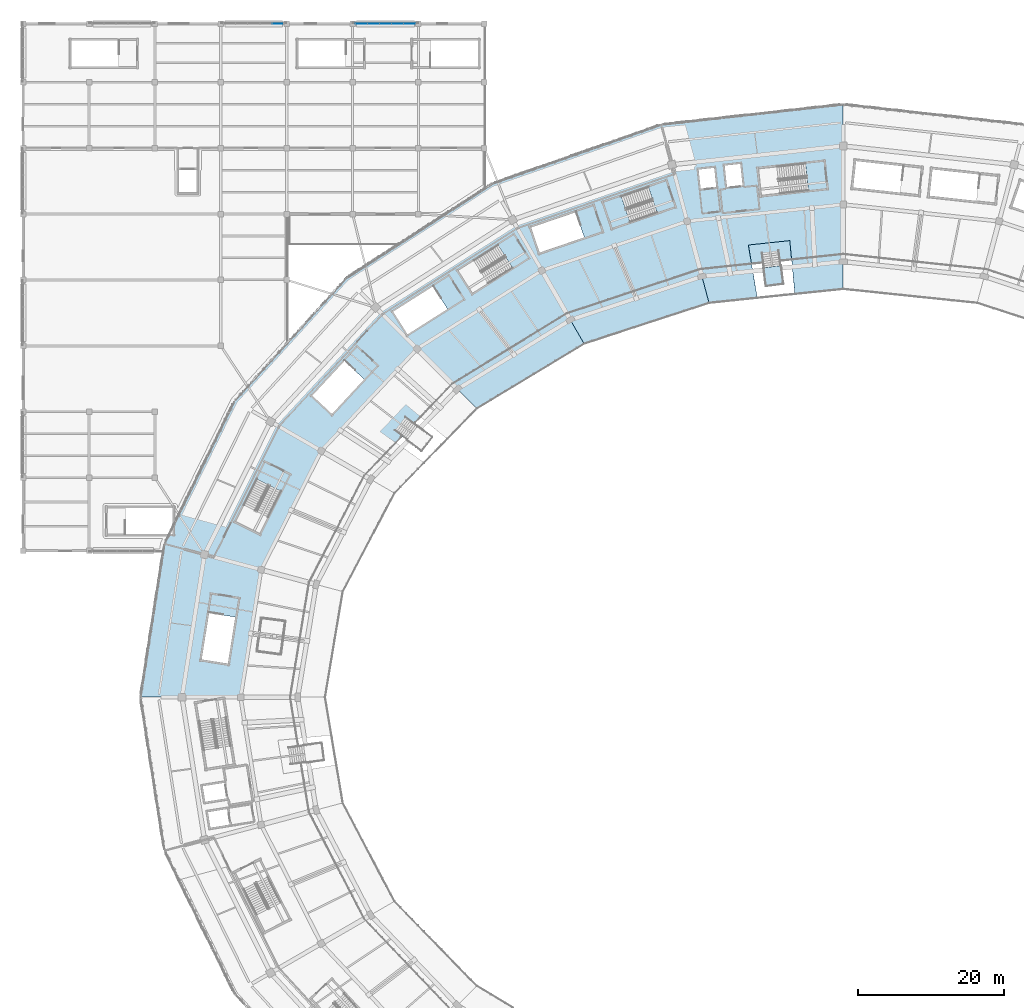
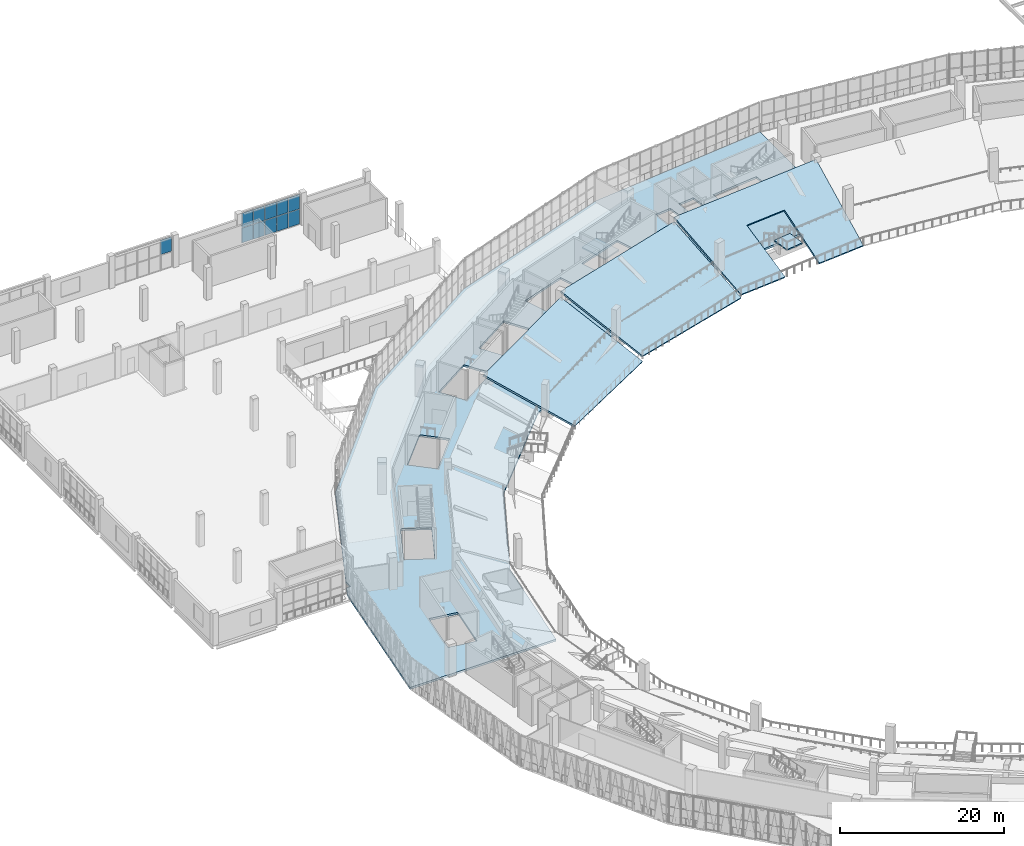
# One storey, part 84 of 152: 11 plates, 6 slabs, 4 elements without a shape of their own.
"""IFC4 building model written with IfcOpenShell, lengths in metres."""

from ifc_helpers import new_model, si_unit, direction, frame, origin, origin_2d, place, context, subcontext, project, spatial, polyline, rectangle, outline, extrude, material, layer, layer_set, type_object, element, aggregate, save


model = new_model("IFC4")

# Units and contexts
model_context = context("Model", 3, precision=1e-05, world=origin(), true_north=direction((0.0, 1.0)))
body_context = subcontext(model_context, "Body", "Model", "MODEL_VIEW")
ifc_project = project(units=[si_unit("LENGTHUNIT", "METRE"), si_unit("AREAUNIT", "SQUARE_METRE"), si_unit("VOLUMEUNIT", "CUBIC_METRE"), si_unit("PLANEANGLEUNIT", "RADIAN"), si_unit("MASSUNIT", "GRAM", prefix="KILO")], contexts=[model_context])

# Site, building, storey
site_placement = place(None, origin())
site = spatial("IfcSite", under=ifc_project, at=site_placement, CompositionType="ELEMENT")
building_placement = place(site_placement, origin())
building = spatial("IfcBuilding", under=site, at=building_placement, Name="Zevraka Park Crest Stadium", CompositionType="ELEMENT")
storey_placement = place(building_placement, frame((0.0, 0.0, 15.0)))
storey = spatial("IfcBuildingStorey", under=building, at=storey_placement, Name="L03", CompositionType="ELEMENT", Elevation=15.0)

# Curtain wall, plate
ifc_material_1 = material(Name="Anodised architectural aluminium and laminated safety glass", Category="aluminium")
curtain_wall_type_1 = type_object("IfcCurtainWallType", Name="CW27", PredefinedType="NOTDEFINED", material=ifc_material_1)
curtain_wall_1_placement = place(storey_placement, origin())
curtain_wall_1 = element("IfcCurtainWall", 1, at=curtain_wall_1_placement, inside=storey, type_object=curtain_wall_type_1, Name="Wing Curtain Wall CW27 L03-NW-N2-4", PredefinedType="NOTDEFINED")
ifc_material_2 = material(Name="Solar-control laminated double glazing", Category="glass")
ifc_layer_1 = layer(ifc_material_2, 0.035888671875)
ifc_layer_set_1 = layer_set([ifc_layer_1], Name="Solar-control laminated double glazing")
plate_type_1 = type_object("IfcPlateType", Name="CP27", PredefinedType="CURTAIN_PANEL", material=ifc_layer_set_1)
plate_1_placement = place(storey_placement, frame((34.79052734375, 184.0, 2.3349609375), z_axis=(0.0, 0.0, 1.0), x_axis=(1.0, 0.0, 0.0)))
plate_1 = element("IfcPlate", 2, at=plate_1_placement, type_object=plate_type_1, Name="CW27 panel 5.2", PredefinedType="CURTAIN_PANEL", context=body_context, shape_type="SweptSolid", body=[
    extrude(rectangle(XDim=1.549072265625, YDim=0.035888671875, at=origin_2d()), origin(), (0.0, 0.0, 1.0), 2.135009765625),
])
aggregate(curtain_wall_1, [plate_1])

# Curtain wall, plates
ifc_material_3 = material(Name="Anodised architectural aluminium and laminated safety glass", Category="aluminium")
curtain_wall_type_2 = type_object("IfcCurtainWallType", Name="CW29", PredefinedType="NOTDEFINED", material=ifc_material_3)
curtain_wall_2_placement = place(storey_placement, origin())
curtain_wall_2 = element("IfcCurtainWall", 3, at=curtain_wall_2_placement, inside=storey, type_object=curtain_wall_type_2, Name="Wing Curtain Wall CW29 L03-NW-N2-6", PredefinedType="NOTDEFINED")
ifc_material_4 = material(Name="Solar-control laminated double glazing", Category="glass")
ifc_layer_2 = layer(ifc_material_4, 0.035888671875)
ifc_layer_set_2 = layer_set([ifc_layer_2], Name="Solar-control laminated double glazing")
plate_type_2 = type_object("IfcPlateType", Name="CP29", PredefinedType="CURTAIN_PANEL", material=ifc_layer_set_2)
plate_2_placement = place(storey_placement, frame((46.208251953125, 184.0, 0.06494140625), z_axis=(0.0, 0.0, 1.0), x_axis=(1.0, 0.0, 0.0)))
plate_2 = element("IfcPlate", 4, at=plate_2_placement, type_object=plate_type_2, Name="CW29 panel 1.1", PredefinedType="CURTAIN_PANEL", context=body_context, shape_type="SweptSolid", body=[
    extrude(rectangle(XDim=1.556396484375, YDim=0.035888671875, at=origin_2d()), origin(), (0.0, 0.0, 1.0), 2.202392578125),
])
plate_3_placement = place(storey_placement, frame((46.208251953125, 184.0, 2.33251953125), z_axis=(0.0, 0.0, 1.0), x_axis=(1.0, 0.0, 0.0)))
plate_3 = element("IfcPlate", 5, at=plate_3_placement, type_object=plate_type_2, Name="CW29 panel 1.2", PredefinedType="CURTAIN_PANEL", context=body_context, shape_type="SweptSolid", body=[
    extrude(rectangle(XDim=1.556396484375, YDim=0.035888671875, at=origin_2d()), origin(), (0.0, 0.0, 1.0), 2.142578125),
])
plate_4_placement = place(storey_placement, frame((47.845947265625, 184.0, 0.06494140625), z_axis=(0.0, 0.0, 1.0), x_axis=(1.0, 0.0, 0.0)))
plate_4 = element("IfcPlate", 6, at=plate_4_placement, type_object=plate_type_2, Name="CW29 panel 2.1", PredefinedType="CURTAIN_PANEL", context=body_context, shape_type="SweptSolid", body=[
    extrude(rectangle(XDim=1.589111328125, YDim=0.035888671875, at=origin_2d()), origin(), (0.0, 0.0, 1.0), 2.202392578125),
])
plate_5_placement = place(storey_placement, frame((47.845947265625, 184.0, 2.33251953125), z_axis=(0.0, 0.0, 1.0), x_axis=(1.0, 0.0, 0.0)))
plate_5 = element("IfcPlate", 7, at=plate_5_placement, type_object=plate_type_2, Name="CW29 panel 2.2", PredefinedType="CURTAIN_PANEL", context=body_context, shape_type="SweptSolid", body=[
    extrude(rectangle(XDim=1.589111328125, YDim=0.035888671875, at=origin_2d()), origin(), (0.0, 0.0, 1.0), 2.142578125),
])
plate_6_placement = place(storey_placement, frame((49.5, 184.0, 0.06494140625), z_axis=(0.0, 0.0, 1.0), x_axis=(1.0, 0.0, 0.0)))
plate_6 = element("IfcPlate", 8, at=plate_6_placement, type_object=plate_type_2, Name="CW29 panel 3.1", PredefinedType="CURTAIN_PANEL", context=body_context, shape_type="SweptSolid", body=[
    extrude(rectangle(XDim=1.589111328125, YDim=0.035888671875, at=origin_2d()), origin(), (0.0, 0.0, 1.0), 2.202392578125),
])
plate_7_placement = place(storey_placement, frame((49.5, 184.0, 2.33251953125), z_axis=(0.0, 0.0, 1.0), x_axis=(1.0, 0.0, 0.0)))
plate_7 = element("IfcPlate", 9, at=plate_7_placement, type_object=plate_type_2, Name="CW29 panel 3.2", PredefinedType="CURTAIN_PANEL", context=body_context, shape_type="SweptSolid", body=[
    extrude(rectangle(XDim=1.589111328125, YDim=0.035888671875, at=origin_2d()), origin(), (0.0, 0.0, 1.0), 2.142578125),
])
plate_8_placement = place(storey_placement, frame((51.154052734375, 184.0, 0.06494140625), z_axis=(0.0, 0.0, 1.0), x_axis=(1.0, 0.0, 0.0)))
plate_8 = element("IfcPlate", 10, at=plate_8_placement, type_object=plate_type_2, Name="CW29 panel 4.1", PredefinedType="CURTAIN_PANEL", context=body_context, shape_type="SweptSolid", body=[
    extrude(rectangle(XDim=1.589111328125, YDim=0.035888671875, at=origin_2d()), origin(), (0.0, 0.0, 1.0), 2.202392578125),
])
plate_9_placement = place(storey_placement, frame((51.154052734375, 184.0, 2.33251953125), z_axis=(0.0, 0.0, 1.0), x_axis=(1.0, 0.0, 0.0)))
plate_9 = element("IfcPlate", 11, at=plate_9_placement, type_object=plate_type_2, Name="CW29 panel 4.2", PredefinedType="CURTAIN_PANEL", context=body_context, shape_type="SweptSolid", body=[
    extrude(rectangle(XDim=1.589111328125, YDim=0.035888671875, at=origin_2d()), origin(), (0.0, 0.0, 1.0), 2.142578125),
])
plate_10_placement = place(storey_placement, frame((52.791748046875, 184.0, 0.06494140625), z_axis=(0.0, 0.0, 1.0), x_axis=(1.0, 0.0, 0.0)))
plate_10 = element("IfcPlate", 12, at=plate_10_placement, type_object=plate_type_2, Name="CW29 panel 5.1", PredefinedType="CURTAIN_PANEL", context=body_context, shape_type="SweptSolid", body=[
    extrude(rectangle(XDim=1.556396484375, YDim=0.035888671875, at=origin_2d()), origin(), (0.0, 0.0, 1.0), 2.202392578125),
])
plate_11_placement = place(storey_placement, frame((52.791748046875, 184.0, 2.33251953125), z_axis=(0.0, 0.0, 1.0), x_axis=(1.0, 0.0, 0.0)))
plate_11 = element("IfcPlate", 13, at=plate_11_placement, type_object=plate_type_2, Name="CW29 panel 5.2", PredefinedType="CURTAIN_PANEL", context=body_context, shape_type="SweptSolid", body=[
    extrude(rectangle(XDim=1.556396484375, YDim=0.035888671875, at=origin_2d()), origin(), (0.0, 0.0, 1.0), 2.142578125),
])
aggregate(curtain_wall_2, [plate_2, plate_3, plate_4, plate_5, plate_6, plate_7, plate_8, plate_9, plate_10, plate_11])

# Slab
ifc_material_5 = material(Name="Concrete C35/45", Category="concrete")
ifc_layer_3 = layer(ifc_material_5, 0.300048828125)
ifc_layer_set_3 = layer_set([ifc_layer_3], Name="Concrete C35/45")
slab_type_1 = type_object("IfcSlabType", Name="FS01", PredefinedType="FLOOR", material=ifc_layer_set_3)
slab_1_placement = place(storey_placement, frame((0.0, 0.0, -0.300048828125)))
element("IfcSlab", 14, at=slab_1_placement, inside=storey, type_object=slab_type_1, Name="Bowl Concourse Ring Slab L03 Q2-NW-1", PredefinedType="FLOOR", context=body_context, shape_type="SweptSolid", body=[
    extrude(outline(polyline([(92.471923828125, 150.389892578125), (74.27490234375, 144.35107421875), (58.64892578125, 134.7451171875), (46.657958984375, 122.22509765625), (39.12109375, 107.64599609375), (36.550048828125, 92.0), (16.0, 92.0), (19.27099609375, 112.964111328125), (19.902099609375, 114.25), (20.5, 114.25), (20.5, 115.467041015625), (28.862060546875, 132.5), (44.117919921875, 149.27587890625), (64.0, 162.14794921875), (87.153076171875, 170.239990234375), (112.0, 173.0), (112.0, 152.449951171875), (92.471923828125, 150.389892578125)]), holes=[polyline([(28.02099609375, 96.5009765625), (29.0458984375, 102.93994140625), (25.3330078125, 103.531005859375), (24.30810546875, 97.093017578125), (28.02099609375, 96.5009765625)]), polyline([(32.3310546875, 114.278076171875), (35.251953125, 120.10791015625), (31.889892578125, 121.7919921875), (28.968994140625, 115.962890625), (32.3310546875, 114.278076171875)]), polyline([(39.427001953125, 133.177001953125), (42.18310546875, 130.618896484375), (46.617919921875, 135.39794921875), (43.862060546875, 137.9560546875), (39.427001953125, 133.177001953125)]), polyline([(50.470947265625, 144.6689453125), (52.486083984375, 141.493896484375), (57.990966796875, 144.987060546875), (55.97705078125, 148.162109375), (50.470947265625, 144.6689453125)]), polyline([(61.35205078125, 147.118896484375), (66.85693359375, 150.612060546875), (64.843017578125, 153.787109375), (59.3369140625, 150.2939453125), (61.35205078125, 147.118896484375)]), polyline([(69.285888671875, 156.196044921875), (70.50390625, 152.638916015625), (76.673095703125, 154.7509765625), (75.4541015625, 158.30810546875), (69.285888671875, 156.196044921875)]), polyline([(79.219970703125, 159.596923828125), (80.43798828125, 156.0400390625), (86.60693359375, 158.152099609375), (85.387939453125, 161.708984375), (79.219970703125, 159.596923828125)]), polyline([(100.77294921875, 160.487060546875), (107.2548828125, 161.19189453125), (106.847900390625, 164.929931640625), (100.365966796875, 164.22509765625), (100.77294921875, 160.487060546875)]), polyline([(92.22802734375, 164.09912109375), (92.52099609375, 161.4150390625), (94.7080078125, 161.653076171875), (94.4150390625, 164.3369140625), (92.22802734375, 164.09912109375)]), polyline([(95.7900390625, 164.638916015625), (96.114990234375, 161.656005859375), (98.302001953125, 161.89501953125), (97.97705078125, 164.8779296875), (95.7900390625, 164.638916015625)])]), origin(), (0.0, 0.0, 1.0), 0.300048828125),
])

# Stair, slab
ifc_material_6 = material(Name="Concrete C35/45", Category="concrete")
stair_type_1 = type_object("IfcStairType", Name="STA2", PredefinedType="HALF_TURN_STAIR", material=ifc_material_6)
stair_1_placement = place(storey_placement, origin())
stair_1 = element("IfcStair", 15, at=stair_1_placement, inside=storey, type_object=stair_type_1, Name="L03 Protected Concourse Exit Stair ST08", PredefinedType="HALF_TURN_STAIR")
ifc_material_7 = material(Name="Concrete C35/45", Category="concrete")
ifc_layer_4 = layer(ifc_material_7, 0.199951171875)
ifc_layer_set_4 = layer_set([ifc_layer_4], Name="Concrete C35/45")
slab_type_2 = type_object("IfcSlabType", Name="LS01", PredefinedType="LANDING", material=ifc_layer_set_4)
slab_2_placement = place(storey_placement, frame((0.0, 0.0, 2.199951171875)))
slab_2 = element("IfcSlab", 16, at=slab_2_placement, type_object=slab_type_2, Name="ST08 landing 1", PredefinedType="LANDING", context=body_context, shape_type="SweptSolid", body=[
    extrude(outline(polyline([(81.689453125, 160.442626953125), (79.22021484375, 159.596923828125), (80.438232421875, 156.039794921875), (82.907470703125, 156.885498046875), (81.689453125, 160.442626953125)])), origin(), (0.0, 0.0, 1.0), 0.199951171875),
])
aggregate(stair_1, [slab_2])

ifc_material_8 = material(Name="Concrete C35/45", Category="concrete")
stair_type_2 = type_object("IfcStairType", Name="VST1", PredefinedType="STRAIGHT_RUN_STAIR", material=ifc_material_8)
stair_2_placement = place(storey_placement, origin())
stair_2 = element("IfcStair", 17, at=stair_2_placement, inside=storey, type_object=stair_type_2, Name="Vomitory Stair VS-11", PredefinedType="STRAIGHT_RUN_STAIR")
ifc_material_9 = material(Name="Concrete C35/45", Category="concrete")
ifc_layer_5 = layer(ifc_material_9, 0.179931640625)
ifc_layer_set_5 = layer_set([ifc_layer_5], Name="Concrete C35/45")
slab_type_3 = type_object("IfcSlabType", Name="LS02", PredefinedType="LANDING", material=ifc_layer_set_5)
slab_3_placement = place(storey_placement, frame((0.0, 0.0, 1.02001953125)))
slab_3 = element("IfcSlab", 18, at=slab_3_placement, type_object=slab_type_3, Name="VST1 landing 1", PredefinedType="LANDING", context=body_context, shape_type="SweptSolid", body=[
    extrude(outline(polyline([(101.126953125, 150.652099609375), (101.45703125, 148.14892578125), (103.8359375, 148.4619140625), (103.507080078125, 150.965087890625), (101.126953125, 150.652099609375)])), origin(), (0.0, 0.0, 1.0), 0.179931640625),
])
aggregate(stair_2, [slab_3])

# Slabs
ifc_material_10 = material(Name="Concrete C35/45", Category="concrete")
ifc_layer_6 = layer(ifc_material_10, 0.27001953125)
ifc_layer_set_6 = layer_set([ifc_layer_6], Name="Concrete C35/45")
slab_type_4 = type_object("IfcSlabType", Name="STU1", PredefinedType="USERDEFINED", material=ifc_layer_set_6)
slab_4_placement = place(storey_placement, frame((112.0, 147.75, -1.62890625), z_axis=(0.059156687626, -0.449257193484, 0.89144178745), x_axis=(-0.994561751695, -0.103204942573, 0.013987919561)))
element("IfcSlab", 19, at=slab_4_placement, inside=storey, type_object=slab_type_4, Name="Upper Tier Cantilevered Raked Seating Slab 06", ObjectType="SEATING TIER", PredefinedType="USERDEFINED", context=body_context, shape_type="SweptSolid", body=[
    extrude(outline(polyline([(0.0, 0.0), (6.628090213877581, 6.245004513516506e-17), (6.611822214926782, -8.226508991458461), (12.307350303019104, -8.209301853074988), (11.783075755785312, -0.00010508686291281488), (18.41114077314371, -0.0003217424743992836), (20.314839276189126, -12.794023096797563), (-1.1105978178902565, -12.886223821158584), (0.0, 0.0)])), origin(), (0.0, 0.0, -1.0), 0.27001953125),
])
slab_5_placement = place(storey_placement, frame((93.68896484375, 145.85009765625, -1.83935546875), z_axis=(0.168378693014, -0.406482410926, 0.898009279099), x_axis=(-0.949973037771, -0.310038083105, 0.037783786636)))
element("IfcSlab", 20, at=slab_5_placement, inside=storey, type_object=slab_type_4, Name="Upper Tier Cantilevered Raked Seating Slab 07", ObjectType="SEATING TIER", PredefinedType="USERDEFINED", context=body_context, shape_type="SweptSolid", body=[
    extrude(outline(polyline([(0.0, 0.0), (17.962581333625103, 7.216449660063518e-16), (20.55928326115344, -12.575532698699957), (-0.40668056195045876, -12.834891235849575), (0.0, 0.0)])), origin(), (0.0, 0.0, -1.0), 0.27001953125),
])
slab_6_placement = place(storey_placement, frame((76.625, 140.281005859375, -1.953857421875), z_axis=(0.263416225541, -0.343298909206, 0.901530782092), x_axis=(-0.854531553234, -0.516695683115, 0.05292821155)))
element("IfcSlab", 21, at=slab_6_placement, inside=storey, type_object=slab_type_4, Name="Upper Tier Cantilevered Raked Seating Slab 08", ObjectType="SEATING TIER", PredefinedType="USERDEFINED", context=body_context, shape_type="SweptSolid", body=[
    extrude(outline(polyline([(0.0, 0.0), (17.14753892090291, 1.1657341758564144e-15), (20.19754024552819, -12.421918579282584), (0.05728993810500249, -12.791295137027804), (0.0, 0.0)])), origin(), (0.0, 0.0, -1.0), 0.27001953125),
])

save(model, "model.ifc")
